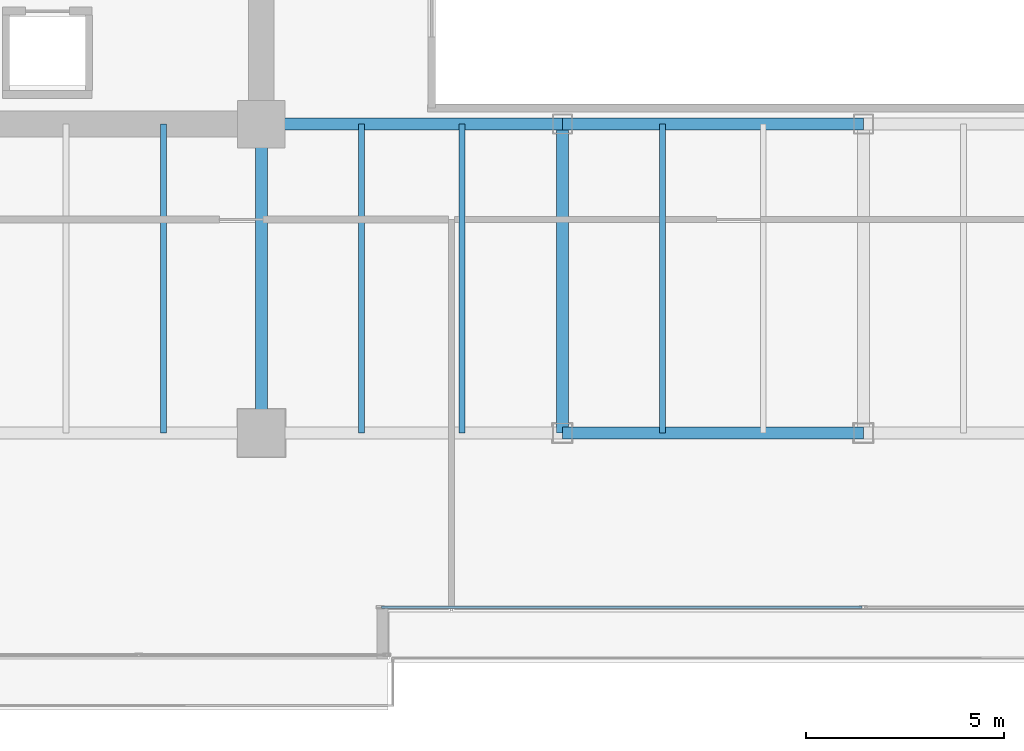
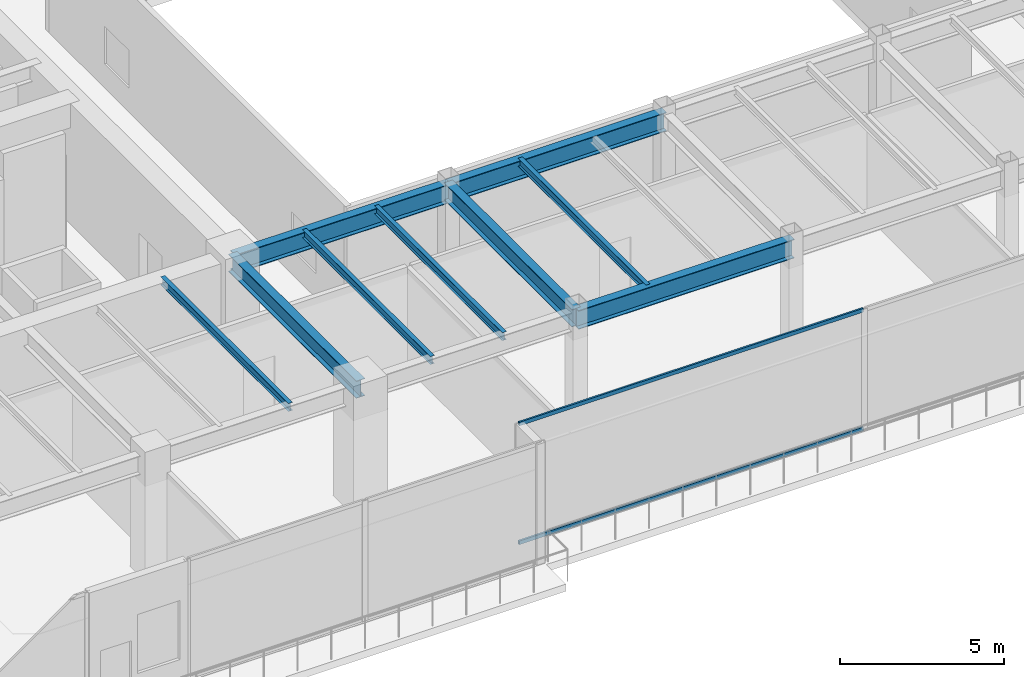
# One storey, part 5 of 33: 9 beams, 2 members, 1 element without a shape of its own.
"""IFC4 building model written with IfcOpenShell, lengths in metres."""

from ifc_helpers import new_model, si_unit, direction, frame, origin, origin_2d, place, context, subcontext, project, spatial, hollow_rectangle, i_section, extrude, source, transform, mapped, material, layer, layer_set, material_profile, profile_set, type_object, type_shapes, element, aggregate, save


model = new_model("IFC4")

# Units and contexts
model_context = context("Model", 3, precision=1e-05, world=origin(), true_north=direction((0.0, 1.0)))
body_context = subcontext(model_context, "Body", "Model", "MODEL_VIEW")
ifc_project = project(units=[si_unit("LENGTHUNIT", "METRE"), si_unit("AREAUNIT", "SQUARE_METRE"), si_unit("VOLUMEUNIT", "CUBIC_METRE"), si_unit("PLANEANGLEUNIT", "RADIAN"), si_unit("MASSUNIT", "GRAM", prefix="KILO")], contexts=[model_context])

# Site, building, storey
site_placement = place(None, origin())
site = spatial("IfcSite", under=ifc_project, at=site_placement, CompositionType="ELEMENT")
building_placement = place(site_placement, origin())
building = spatial("IfcBuilding", under=site, at=building_placement, Name="Haelvirn Gate Laboratories", CompositionType="ELEMENT")
storey_placement = place(building_placement, frame((0.0, 0.0, 100.300048828125)))
storey = spatial("IfcBuildingStorey", under=building, at=storey_placement, Name="L24", CompositionType="ELEMENT", Elevation=100.300048828125)

# Beams
ifc_material_1 = material(Name="Steel SM355", Category="steel")
ifc_material_profile_1 = material_profile(ifc_material_1, i_section(OverallWidth=0.300048828125, OverallDepth=0.64990234375, WebThickness=0.012939453125, FlangeThickness=0.02197265625, at=origin_2d()), Name="H-650x300x13x22")
ifc_profile_set_1 = profile_set([ifc_material_profile_1], Name="Steel SM355")
beam_type_1 = type_object("IfcBeamType", Name="BM-G-650", PredefinedType="BEAM", material=ifc_profile_set_1)
shared_shape_1 = source(origin(), body_context, "Body", "SweptSolid", [
    extrude(i_section(OverallWidth=0.300048828125, OverallDepth=0.64990234375, WebThickness=0.012939453125, FlangeThickness=0.02197265625, at=origin_2d()), origin(), (0.0, 0.0, 1.0), 7.800048828125),
])
type_shapes(beam_type_1, [shared_shape_1])
for number, where, z_axis, x_axis, name in (
    (1, (22.199951171875, 7.0, 4.1650390625), (0.0, 1.0, 0.0), (-1.0, 0.0, 0.0), "L24 Frame Girder X22.2 (7.0-14.8)"),
    (2, (29.800048828125, 7.0, 4.1650390625), (0.0, 1.0, 0.0), (-1.0, 0.0, 0.0), "L24 Frame Girder X29.8 (7.0-14.8)"),
):
    element("IfcBeam", number, at=place(storey_placement, frame(where, z_axis=z_axis, x_axis=x_axis)), inside=storey, type_object=beam_type_1, Name=name, PredefinedType="BEAM", context=body_context, shape_type="MappedRepresentation", body=[
        mapped(shared_shape_1, transform((0.0, 0.0, 0.0), scale=1.0)),
    ])
ifc_material_profile_2 = material_profile(ifc_material_1, i_section(OverallWidth=0.300048828125, OverallDepth=0.699951171875, WebThickness=0.012939453125, FlangeThickness=0.02392578125, at=origin_2d()), Name="H-700x300x13x24")
ifc_profile_set_2 = profile_set([ifc_material_profile_2], Name="Steel SM355")
beam_type_2 = type_object("IfcBeamType", Name="BM-G-700", PredefinedType="BEAM", material=ifc_profile_set_2)
shared_shape_2 = source(origin(), body_context, "Body", "SweptSolid", [
    extrude(i_section(OverallWidth=0.300048828125, OverallDepth=0.699951171875, WebThickness=0.012939453125, FlangeThickness=0.02392578125, at=origin_2d()), origin(), (0.0, 0.0, 1.0), 7.60009765625),
])
beam_placement = place(storey_placement, frame((22.199951171875, 14.800048828125, 4.139892578125), z_axis=(1.0, 0.0, 0.0), x_axis=(0.0, 1.0, 0.0)))
element("IfcBeam", 3, at=beam_placement, inside=storey, type_object=beam_type_2, Name="L24 Primary Girder Y14.8 (22.2-29.8)", PredefinedType="BEAM", context=body_context, shape_type="MappedRepresentation", body=[
    mapped(shared_shape_2, transform((0.0, 0.0, 0.0), scale=1.0)),
])
shared_shape_3 = source(origin(), body_context, "Body", "SweptSolid", [
    extrude(i_section(OverallWidth=0.300048828125, OverallDepth=0.699951171875, WebThickness=0.012939453125, FlangeThickness=0.02392578125, at=origin_2d()), origin(), (0.0, 0.0, 1.0), 7.599853515625),
])
type_shapes(beam_type_2, [shared_shape_2, shared_shape_3])
for number, where, z_axis, x_axis, name in (
    (4, (29.800048828125, 7.0, 4.139892578125), (1.0, 0.0, 0.0), (0.0, 1.0, 0.0), "L24 Primary Girder Y7.0 (29.8-37.4)"),
    (5, (29.800048828125, 14.800048828125, 4.139892578125), (1.0, 0.0, 0.0), (0.0, 1.0, 0.0), "L24 Primary Girder Y14.8 (29.8-37.4)"),
):
    element("IfcBeam", number, at=place(storey_placement, frame(where, z_axis=z_axis, x_axis=x_axis)), inside=storey, type_object=beam_type_2, Name=name, PredefinedType="BEAM", context=body_context, shape_type="MappedRepresentation", body=[
        mapped(shared_shape_3, transform((0.0, 0.0, 0.0), scale=1.0)),
    ])
ifc_material_profile_3 = material_profile(ifc_material_1, i_section(OverallWidth=0.14990234375, OverallDepth=0.300048828125, WebThickness=0.006591796875, FlangeThickness=0.009033203125, at=origin_2d()), Name="H-300x150x6.5x9")
ifc_profile_set_3 = profile_set([ifc_material_profile_3], Name="Steel SM355")
beam_type_3 = type_object("IfcBeamType", Name="BM-J-300", PredefinedType="JOIST", material=ifc_profile_set_3)
shared_shape_4 = source(origin(), body_context, "Body", "SweptSolid", [
    extrude(i_section(OverallWidth=0.14990234375, OverallDepth=0.300048828125, WebThickness=0.006591796875, FlangeThickness=0.009033203125, at=origin_2d()), origin(), (0.0, 0.0, 1.0), 7.800048828125),
])
type_shapes(beam_type_3, [shared_shape_4])
for number, where, z_axis, x_axis, name in (
    (6, (19.72998046875, 7.0, 4.33984375), (0.0, 1.0, 0.0), (-1.0, 0.0, 0.0), "L24 Composite Lab Joist South X19.73"),
    (7, (24.72998046875, 7.0, 4.33984375), (0.0, 1.0, 0.0), (-1.0, 0.0, 0.0), "L24 Composite Lab Joist South X24.73"),
    (8, (27.27001953125, 7.0, 4.33984375), (0.0, 1.0, 0.0), (-1.0, 0.0, 0.0), "L24 Composite Lab Joist South X27.27"),
    (9, (32.330078125, 7.0, 4.33984375), (0.0, 1.0, 0.0), (-1.0, 0.0, 0.0), "L24 Composite Lab Joist South X32.33"),
):
    element("IfcBeam", number, at=place(storey_placement, frame(where, z_axis=z_axis, x_axis=x_axis)), inside=storey, type_object=beam_type_3, Name=name, PredefinedType="JOIST", context=body_context, shape_type="MappedRepresentation", body=[
        mapped(shared_shape_4, transform((0.0, 0.0, 0.0), scale=1.0)),
    ])

# Curtain wall, members
ifc_material_2 = material(Name="Anodised bronze unitised aluminium & triple low-E glass", Category="aluminium")
ifc_layer = layer(ifc_material_2, 0.179931640625, Name="CW-SYS-3")
ifc_layer_set = layer_set([ifc_layer], Name="Anodised bronze unitised aluminium & triple low-E glass")
curtain_wall_type = type_object("IfcCurtainWallType", Name="CW-SYS-3", PredefinedType="NOTDEFINED", material=ifc_layer_set)
curtain_wall_placement = place(storey_placement, origin())
curtain_wall = element("IfcCurtainWall", 10, at=curtain_wall_placement, inside=storey, type_object=curtain_wall_type, Name="L24 Unitised Curtain Wall CW-L24-P0-E02-1", PredefinedType="NOTDEFINED")
ifc_material_3 = material(Name="Extruded aluminium 6063-T6 (anodised bronze)", Category="aluminium")
ifc_material_profile_4 = material_profile(ifc_material_3, hollow_rectangle(XDim=0.06494140625, YDim=0.139892578125, WallThickness=0.00390625, at=origin_2d()), Name="CWT-140x65x4")
ifc_profile_set_4 = profile_set([ifc_material_profile_4], Name="Extruded aluminium 6063-T6 (anodised bronze)")
member_type = type_object("IfcMemberType", Name="CWT-T140", PredefinedType="USERDEFINED", material=ifc_profile_set_4)
shared_shape_5 = source(origin(), body_context, "Body", "SweptSolid", [
    extrude(hollow_rectangle(XDim=0.06494140625, YDim=0.139892578125, WallThickness=0.00390625, at=origin_2d()), origin(), (0.0, 0.0, 1.0), 12.12744140625),
])
type_shapes(member_type, [shared_shape_5])
member_1_placement = place(storey_placement, frame((25.235107421875, 2.60009765625, 0.032470703125), z_axis=(1.0, 0.0, 0.0), x_axis=(0.0, 1.0, 0.0)))
member_1 = element("IfcMember", 11, at=member_1_placement, type_object=member_type, Name="CW3 transom 1.1", ObjectType="TRANSOM", PredefinedType="USERDEFINED", context=body_context, shape_type="MappedRepresentation", body=[
    mapped(shared_shape_5, transform((0.0, 0.0, 0.0), scale=1.0)),
])
member_2_placement = place(storey_placement, frame((25.235107421875, 2.60009765625, 4.45751953125), z_axis=(1.0, 0.0, 0.0), x_axis=(0.0, 1.0, 0.0)))
member_2 = element("IfcMember", 12, at=member_2_placement, type_object=member_type, Name="CW3 transom 1.2", ObjectType="TRANSOM", PredefinedType="USERDEFINED", context=body_context, shape_type="MappedRepresentation", body=[
    mapped(shared_shape_5, transform((0.0, 0.0, 0.0), scale=1.0)),
])
aggregate(curtain_wall, [member_1, member_2])

save(model, "model.ifc")
